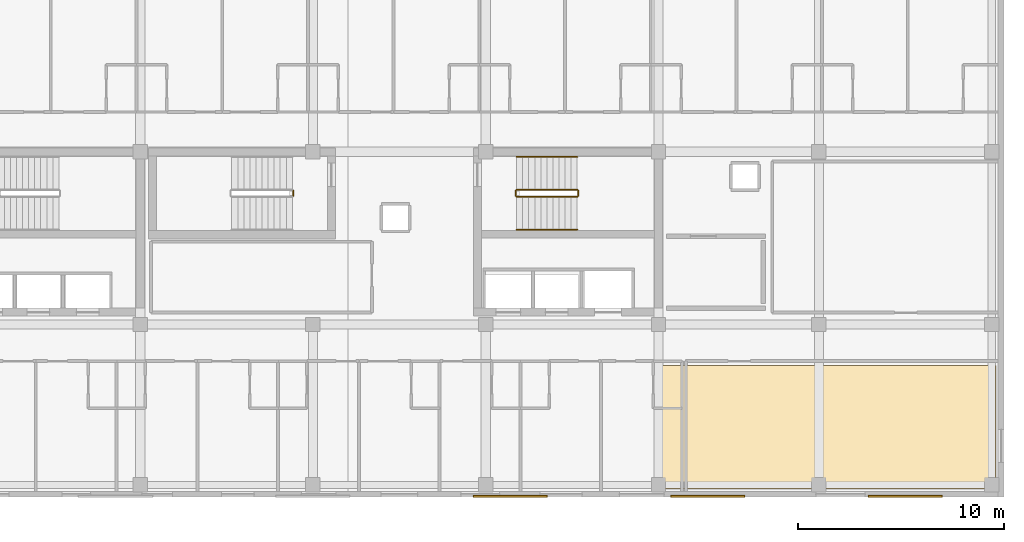
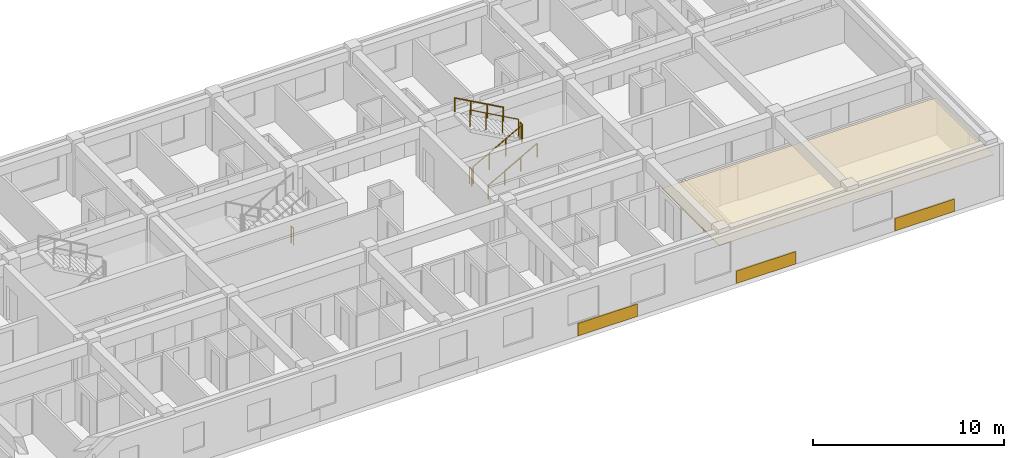
# One storey, part 10 of 10: 7 railings, 4 coverings.
"""IFC4 building model written with IfcOpenShell, lengths in metres."""

from ifc_helpers import new_model, si_unit, direction, frame, origin, origin_2d, place, context, subcontext, project, spatial, polyline, rectangle, circle, outline, extrude, material, layer, layer_set, type_object, element, save


model = new_model("IFC4")

# Units and contexts
model_context = context("Model", 3, precision=1e-05, world=origin(), true_north=direction((0.0, 1.0)))
body_context = subcontext(model_context, "Body", "Model", "MODEL_VIEW")
ifc_project = project(units=[si_unit("LENGTHUNIT", "METRE"), si_unit("AREAUNIT", "SQUARE_METRE"), si_unit("VOLUMEUNIT", "CUBIC_METRE"), si_unit("PLANEANGLEUNIT", "RADIAN"), si_unit("MASSUNIT", "GRAM", prefix="KILO")], contexts=[model_context])

# Site, building, storey
site_placement = place(None, origin())
site = spatial("IfcSite", under=ifc_project, at=site_placement, CompositionType="ELEMENT")
building_placement = place(site_placement, origin())
building = spatial("IfcBuilding", under=site, at=building_placement, Name="Zayran Congress Hotel", CompositionType="ELEMENT")
storey_placement = place(building_placement, frame((0.0, 0.0, 30.0)))
storey = spatial("IfcBuildingStorey", under=building, at=storey_placement, Name="L07", CompositionType="ELEMENT", Elevation=30.0)

# Coverings
ifc_material_1 = material(Name="Ochre geometric bas-relief Hajar Ma'ani stone", Category="masonry")
ifc_layer_1 = layer(ifc_material_1, 0.090087890625)
ifc_layer_set_1 = layer_set([ifc_layer_1], Name="Ochre geometric bas-relief Hajar Ma'ani stone")
covering_type_1 = type_object("IfcCoveringType", Name="TP-CLD-01", PredefinedType="CLADDING", material=ifc_layer_set_1)
for number, where, z_axis, x_axis, name in (
    (1, (51.60009765625, 8.844970703125, 0.0), (0.0, 0.0, 1.0), (1.0, 0.0, 0.0), "CLD-V5S-L07-4"),
    (2, (61.199951171875, 8.844970703125, 0.0), (0.0, 0.0, 1.0), (1.0, 0.0, 0.0), "CLD-V5S-L07-5"),
    (3, (70.800048828125, 8.844970703125, 0.0), (0.0, 0.0, 1.0), (1.0, 0.0, 0.0), "CLD-V5S-L07-6"),
):
    element("IfcCovering", number, at=place(storey_placement, frame(where, z_axis=z_axis, x_axis=x_axis)), inside=storey, type_object=covering_type_1, Name=name, PredefinedType="CLADDING", context=body_context, shape_type="SweptSolid", body=[
        extrude(rectangle(XDim=3.60009765625, YDim=0.090087890625, at=origin_2d()), origin(), (0.0, 0.0, 1.0), 0.800048828125),
    ])

# Railings
ifc_material_2 = material(Name="Painted steel balustrade", Category="steel")
railing_type_1 = type_object("IfcRailingType", Name="TP-GRD-INT", PredefinedType="GUARDRAIL", material=ifc_material_2)
railing_1_placement = place(storey_placement, frame((51.89990234375, 23.409912109375, 0.16357421875)))
element("IfcRailing", 4, at=railing_1_placement, inside=storey, type_object=railing_type_1, Name="L07 ST-02 stair guard 1", PredefinedType="GUARDRAIL", context=body_context, shape_type="SweptSolid", body=[
    extrude(circle(Radius=0.02392578125, at=origin_2d()), frame((0.0, 0.0, 1.076171875), z_axis=(0.87447454536, 0.0, 0.485071406616), x_axis=(0.0, 1.0, 0.0)), (0.0, 0.0, 1.0), 3.373779296875),
    extrude(circle(Radius=0.02099609375, at=origin_2d()), origin(), (0.0, 0.0, 1.0), 1.052001953125),
    extrude(circle(Radius=0.02099609375, at=origin_2d()), frame((0.9833984375, 0.0, 0.54541015625)), (0.0, 0.0, 1.0), 1.052001953125),
    extrude(circle(Radius=0.02099609375, at=origin_2d()), frame((1.966796875, 0.0, 1.091064453125)), (0.0, 0.0, 1.0), 1.052001953125),
    extrude(circle(Radius=0.02099609375, at=origin_2d()), frame((2.9501953125, 0.0, 1.636474609375)), (0.0, 0.0, 1.0), 1.052001953125),
])
railing_2_placement = place(storey_placement, frame((54.89990234375, 23.4599609375, 1.800048828125)))
element("IfcRailing", 5, at=railing_2_placement, inside=storey, type_object=railing_type_1, Name="L07 ST-02 stair guard 2", PredefinedType="GUARDRAIL", context=body_context, shape_type="SweptSolid", body=[
    extrude(circle(Radius=0.02392578125, at=origin_2d()), frame((0.0, 0.0, 1.076171875), z_axis=(0.0, 1.0, 0.0), x_axis=(-1.0, 0.0, 0.0)), (0.0, 0.0, 1.0), 0.239990234375),
    extrude(circle(Radius=0.02099609375, at=origin_2d()), origin(), (0.0, 0.0, 1.0), 1.052001953125),
    extrude(circle(Radius=0.02099609375, at=origin_2d()), frame((0.0, 0.239990234375, 0.0)), (0.0, 0.0, 1.0), 1.052001953125),
])
railing_3_placement = place(storey_placement, frame((54.85009765625, 23.75, 1.963623046875)))
element("IfcRailing", 6, at=railing_3_placement, inside=storey, type_object=railing_type_1, Name="L07 ST-02 stair guard 3", PredefinedType="GUARDRAIL", context=body_context, shape_type="SweptSolid", body=[
    extrude(circle(Radius=0.02392578125, at=origin_2d()), frame((0.0, 0.0, 1.076171875), z_axis=(-0.87447454536, 0.0, 0.485071406616), x_axis=(0.0, -1.0, 0.0)), (0.0, 0.0, 1.0), 3.373779296875),
    extrude(circle(Radius=0.02099609375, at=origin_2d()), origin(), (0.0, 0.0, 1.0), 1.052001953125),
    extrude(circle(Radius=0.02099609375, at=origin_2d()), frame((-0.9833984375, 0.0, 0.54541015625)), (0.0, 0.0, 1.0), 1.052001953125),
    extrude(circle(Radius=0.02099609375, at=origin_2d()), frame((-1.966796875, 0.0, 1.091064453125)), (0.0, 0.0, 1.0), 1.052001953125),
    extrude(circle(Radius=0.02099609375, at=origin_2d()), frame((-2.9501953125, 0.0, 1.636474609375)), (0.0, 0.0, 1.0), 1.052001953125),
])
railing_4_placement = place(storey_placement, frame((51.85009765625, 23.4599609375, 0.0)))
element("IfcRailing", 7, at=railing_4_placement, inside=storey, type_object=railing_type_1, Name="L07 ST-02 stair guard 4", PredefinedType="GUARDRAIL", context=body_context, shape_type="SweptSolid", body=[
    extrude(circle(Radius=0.02392578125, at=origin_2d()), frame((0.0, 0.0, 1.076171875), z_axis=(0.0, 1.0, 0.0), x_axis=(-1.0, 0.0, 0.0)), (0.0, 0.0, 1.0), 0.239990234375),
    extrude(circle(Radius=0.02099609375, at=origin_2d()), origin(), (0.0, 0.0, 1.0), 1.052001953125),
    extrude(circle(Radius=0.02099609375, at=origin_2d()), frame((0.0, 0.239990234375, 0.0)), (0.0, 0.0, 1.0), 1.052001953125),
])
railing_5_placement = place(storey_placement, frame((41.050048828125, 23.699951171875, 0.0)))
element("IfcRailing", 8, at=railing_5_placement, inside=storey, type_object=railing_type_1, Name="L07 ST-13 stair guard 4", PredefinedType="GUARDRAIL", context=body_context, shape_type="SweptSolid", body=[
    extrude(circle(Radius=0.02392578125, at=origin_2d()), frame((0.0, 0.0, 1.076171875), z_axis=(0.0, -1.0, 0.0), x_axis=(1.0, 0.0, 0.0)), (0.0, 0.0, 1.0), 0.239990234375),
    extrude(circle(Radius=0.02099609375, at=origin_2d()), origin(), (0.0, 0.0, 1.0), 1.052001953125),
    extrude(circle(Radius=0.02099609375, at=origin_2d()), frame((0.0, -0.239990234375, 0.0)), (0.0, 0.0, 1.0), 1.052001953125),
])
ifc_material_3 = material(Name="Brushed stainless steel handrail", Category="steel")
railing_type_2 = type_object("IfcRailingType", Name="TP-HND-STR", PredefinedType="HANDRAIL", material=ifc_material_3)
railing_6_placement = place(storey_placement, frame((51.89990234375, 21.81005859375, 0.16357421875)))
element("IfcRailing", 9, at=railing_6_placement, inside=storey, type_object=railing_type_2, Name="L07 ST-02 stair handrail 1", PredefinedType="HANDRAIL", context=body_context, shape_type="SweptSolid", body=[
    extrude(circle(Radius=0.02392578125, at=origin_2d()), frame((0.0, 0.0, 0.8759765625), z_axis=(0.87447454536, 0.0, 0.485071406616), x_axis=(0.0, 1.0, 0.0)), (0.0, 0.0, 1.0), 3.373779296875),
    extrude(circle(Radius=0.02099609375, at=origin_2d()), origin(), (0.0, 0.0, 1.0), 0.851806640625),
    extrude(circle(Radius=0.02099609375, at=origin_2d()), frame((0.9833984375, 0.0, 0.54541015625)), (0.0, 0.0, 1.0), 0.851806640625),
    extrude(circle(Radius=0.02099609375, at=origin_2d()), frame((1.966796875, 0.0, 1.091064453125)), (0.0, 0.0, 1.0), 0.851806640625),
    extrude(circle(Radius=0.02099609375, at=origin_2d()), frame((2.9501953125, 0.0, 1.636474609375)), (0.0, 0.0, 1.0), 0.851806640625),
])
railing_7_placement = place(storey_placement, frame((54.85009765625, 25.35009765625, 1.963623046875)))
element("IfcRailing", 10, at=railing_7_placement, inside=storey, type_object=railing_type_2, Name="L07 ST-02 stair handrail 2", PredefinedType="HANDRAIL", context=body_context, shape_type="SweptSolid", body=[
    extrude(circle(Radius=0.02392578125, at=origin_2d()), frame((0.0, 0.0, 0.8759765625), z_axis=(-0.87447454536, 0.0, 0.485071406616), x_axis=(0.0, -1.0, 0.0)), (0.0, 0.0, 1.0), 3.373779296875),
    extrude(circle(Radius=0.02099609375, at=origin_2d()), origin(), (0.0, 0.0, 1.0), 0.851806640625),
    extrude(circle(Radius=0.02099609375, at=origin_2d()), frame((-0.9833984375, 0.0, 0.54541015625)), (0.0, 0.0, 1.0), 0.851806640625),
    extrude(circle(Radius=0.02099609375, at=origin_2d()), frame((-1.966796875, 0.0, 1.091064453125)), (0.0, 0.0, 1.0), 0.851806640625),
    extrude(circle(Radius=0.02099609375, at=origin_2d()), frame((-2.9501953125, 0.0, 1.636474609375)), (0.0, 0.0, 1.0), 0.851806640625),
])

# Covering
ifc_material_4 = material(Name="Perforated acoustic gypsum ceiling board", Category="gypsum")
ifc_layer_2 = layer(ifc_material_4, 0.044921875)
ifc_layer_set_2 = layer_set([ifc_layer_2], Name="Perforated acoustic gypsum ceiling board")
covering_type_2 = type_object("IfcCoveringType", Name="TP-CLG-AC1", PredefinedType="CEILING", material=ifc_layer_set_2)
covering_placement = place(storey_placement, frame((0.0, 0.0, 2.449951171875)))
element("IfcCovering", 11, at=covering_placement, inside=storey, type_object=covering_type_2, Name="Acoustic Suspended Ceiling L07-09", PredefinedType="CEILING", context=body_context, shape_type="SweptSolid", body=[
    extrude(outline(polyline([(58.60009765625, 9.199951171875), (75.199951171875, 9.199951171875), (75.199951171875, 15.199951171875), (58.60009765625, 15.199951171875), (58.60009765625, 9.199951171875)])), origin(), (0.0, 0.0, 1.0), 0.045166015625),
])

save(model, "model.ifc")
